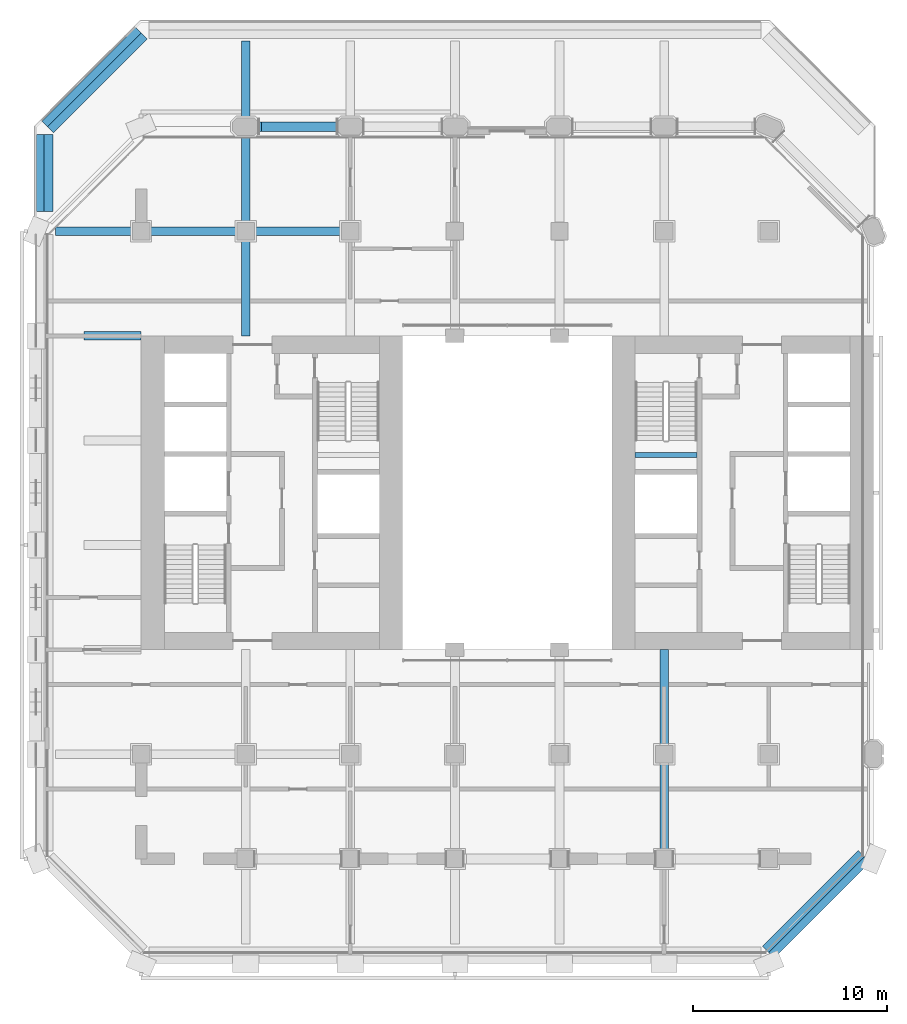
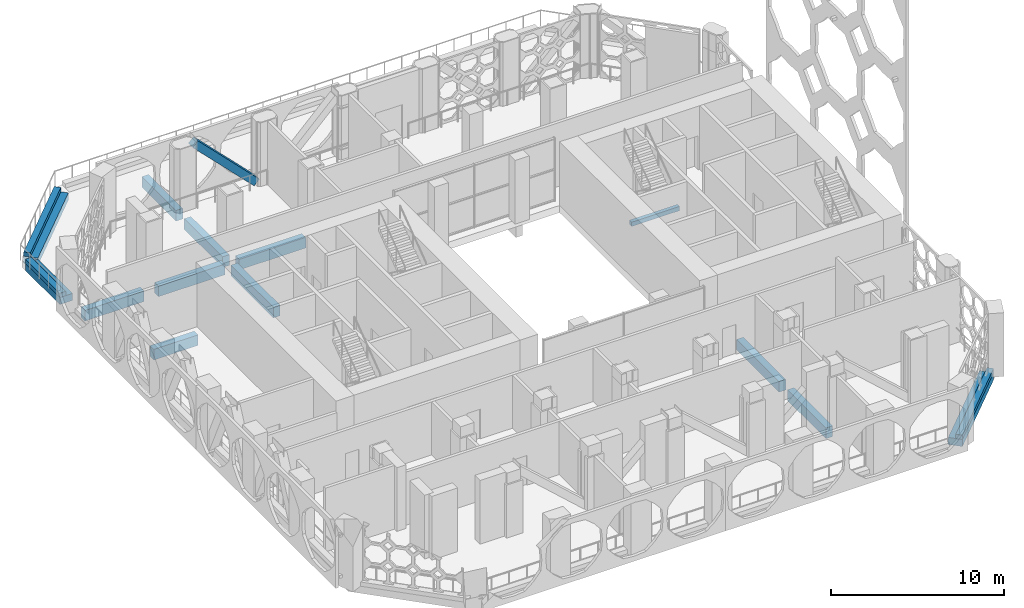
# One storey, part 3 of 17: 16 beams, 1 member.
"""IFC4 building model written with IfcOpenShell, lengths in metres."""

from ifc_helpers import new_model, si_unit, direction, frame, origin, origin_2d, place, context, subcontext, project, spatial, rectangle, extrude, material, material_profile, profile_set, type_object, element, save


model = new_model("IFC4")

# Units and contexts
model_context = context("Model", 3, precision=1e-05, world=origin(), true_north=direction((0.0, 1.0)))
body_context = subcontext(model_context, "Body", "Model", "MODEL_VIEW")
ifc_project = project(units=[si_unit("LENGTHUNIT", "METRE"), si_unit("AREAUNIT", "SQUARE_METRE"), si_unit("VOLUMEUNIT", "CUBIC_METRE"), si_unit("PLANEANGLEUNIT", "RADIAN"), si_unit("MASSUNIT", "GRAM", prefix="KILO")], contexts=[model_context])

# Site, building, storey
site_placement = place(None, origin())
site = spatial("IfcSite", under=ifc_project, at=site_placement, CompositionType="ELEMENT")
building_placement = place(site_placement, origin())
building = spatial("IfcBuilding", under=site, at=building_placement, Name="Tabaq Tower and Sports Hall", CompositionType="ELEMENT")
storey_placement = place(building_placement, frame((0.0, 0.0, 125.800048828125)))
storey = spatial("IfcBuildingStorey", under=building, at=storey_placement, Name="L30", CompositionType="ELEMENT", Elevation=125.800048828125)

# Beams
ifc_material_1 = material(Name="Concrete C40/50", Category="concrete")
ifc_material_profile_1 = material_profile(ifc_material_1, rectangle(XDim=0.449951171875, YDim=0.75, at=origin_2d()), Name="CB 450x750")
ifc_profile_set_1 = profile_set([ifc_material_profile_1], Name="Concrete C40/50")
beam_type_1 = type_object("IfcBeamType", Name="PT CANTILEVER BEAM CB 450x750 C40/50", PredefinedType="BEAM", material=ifc_profile_set_1)
beam_1_placement = place(storey_placement, frame((2.449951171875, 32.39990234375, -0.875), z_axis=(1.0, 0.0, 0.0), x_axis=(0.0, 1.0, 0.0)))
element("IfcBeam", 1, at=beam_1_placement, inside=storey, type_object=beam_type_1, Name="Cantilever Beam L30 W6 span 1", PredefinedType="BEAM", context=body_context, shape_type="SweptSolid", body=[
    extrude(rectangle(XDim=0.449951171875, YDim=0.75, at=origin_2d()), origin(), (0.0, 0.0, 1.0), 2.949951171875),
])
beam_2_placement = place(storey_placement, frame((0.97509765625, 37.800048828125, -0.875), z_axis=(1.0, 0.0, 0.0), x_axis=(0.0, 1.0, 0.0)))
element("IfcBeam", 2, at=beam_2_placement, inside=storey, type_object=beam_type_1, Name="Cantilever Beam L30 W7 span 1", PredefinedType="BEAM", context=body_context, shape_type="SweptSolid", body=[
    extrude(rectangle(XDim=0.449951171875, YDim=0.75, at=origin_2d()), origin(), (0.0, 0.0, 1.0), 3.949951171875),
])
beam_3_placement = place(storey_placement, frame((5.875, 37.800048828125, -0.875), z_axis=(1.0, 0.0, 0.0), x_axis=(0.0, 1.0, 0.0)))
element("IfcBeam", 3, at=beam_3_placement, inside=storey, type_object=beam_type_1, Name="Cantilever Beam L30 W7 span 2", PredefinedType="BEAM", context=body_context, shape_type="SweptSolid", body=[
    extrude(rectangle(XDim=0.449951171875, YDim=0.75, at=origin_2d()), origin(), (0.0, 0.0, 1.0), 4.449951171875),
])
beam_4_placement = place(storey_placement, frame((11.27490234375, 37.800048828125, -0.875), z_axis=(1.0, 0.0, 0.0), x_axis=(0.0, 1.0, 0.0)))
element("IfcBeam", 4, at=beam_4_placement, inside=storey, type_object=beam_type_1, Name="Cantilever Beam L30 W7 span 3", PredefinedType="BEAM", context=body_context, shape_type="SweptSolid", body=[
    extrude(rectangle(XDim=0.449951171875, YDim=0.75, at=origin_2d()), origin(), (0.0, 0.0, 1.0), 4.4501953125),
])
beam_5_placement = place(storey_placement, frame((32.39990234375, 5.85009765625, -0.875), z_axis=(0.0, 1.0, 0.0), x_axis=(-1.0, 0.0, 0.0)))
element("IfcBeam", 5, at=beam_5_placement, inside=storey, type_object=beam_type_1, Name="Cantilever Beam L30 S6 span 2", PredefinedType="BEAM", context=body_context, shape_type="SweptSolid", body=[
    extrude(rectangle(XDim=0.449951171875, YDim=0.75, at=origin_2d()), origin(), (0.0, 0.0, 1.0), 4.474853515625),
])
beam_6_placement = place(storey_placement, frame((32.39990234375, 11.27490234375, -0.875), z_axis=(0.0, 1.0, 0.0), x_axis=(-1.0, 0.0, 0.0)))
element("IfcBeam", 6, at=beam_6_placement, inside=storey, type_object=beam_type_1, Name="Cantilever Beam L30 S6 span 3", PredefinedType="BEAM", context=body_context, shape_type="SweptSolid", body=[
    extrude(rectangle(XDim=0.449951171875, YDim=0.75, at=origin_2d()), origin(), (0.0, 0.0, 1.0), 4.925048828125),
])
beam_7_placement = place(storey_placement, frame((10.800048828125, 47.625, -0.875), z_axis=(0.0, -1.0, 0.0), x_axis=(1.0, 0.0, 0.0)))
element("IfcBeam", 7, at=beam_7_placement, inside=storey, type_object=beam_type_1, Name="Cantilever Beam L30 N2 span 1", PredefinedType="BEAM", context=body_context, shape_type="SweptSolid", body=[
    extrude(rectangle(XDim=0.449951171875, YDim=0.75, at=origin_2d()), origin(), (0.0, 0.0, 1.0), 3.949951171875),
])
beam_8_placement = place(storey_placement, frame((10.800048828125, 42.72509765625, -0.875), z_axis=(0.0, -1.0, 0.0), x_axis=(1.0, 0.0, 0.0)))
element("IfcBeam", 8, at=beam_8_placement, inside=storey, type_object=beam_type_1, Name="Cantilever Beam L30 N2 span 2", PredefinedType="BEAM", context=body_context, shape_type="SweptSolid", body=[
    extrude(rectangle(XDim=0.449951171875, YDim=0.75, at=origin_2d()), origin(), (0.0, 0.0, 1.0), 4.4501953125),
])
beam_9_placement = place(storey_placement, frame((10.800048828125, 37.324951171875, -0.875), z_axis=(0.0, -1.0, 0.0), x_axis=(1.0, 0.0, 0.0)))
element("IfcBeam", 9, at=beam_9_placement, inside=storey, type_object=beam_type_1, Name="Cantilever Beam L30 N2 span 3", PredefinedType="BEAM", context=body_context, shape_type="SweptSolid", body=[
    extrude(rectangle(XDim=0.449951171875, YDim=0.75, at=origin_2d()), origin(), (0.0, 0.0, 1.0), 4.925048828125),
])
ifc_material_2 = material(Name="Concrete C40/50", Category="concrete")
ifc_material_profile_2 = material_profile(ifc_material_2, rectangle(XDim=0.85009765625, YDim=0.5, at=origin_2d()), Name="EB 850x500")
ifc_profile_set_2 = profile_set([ifc_material_profile_2], Name="Concrete C40/50")
beam_type_2 = type_object("IfcBeamType", Name="PT EDGE BEAM EB 850x500 C40/50", PredefinedType="SPANDREL", material=ifc_profile_set_2)
beam_10_placement = place(storey_placement, frame((37.78369140625, 0.584716796875, -0.25), z_axis=(0.707106781187, 0.707106781187, 0.0), x_axis=(-0.707106781187, 0.707106781187, 0.0)))
element("IfcBeam", 10, at=beam_10_placement, inside=storey, type_object=beam_type_2, Name="Edge Beam L30 4", PredefinedType="SPANDREL", context=body_context, shape_type="SweptSolid", body=[
    extrude(rectangle(XDim=0.85009765625, YDim=0.5, at=origin_2d()), origin(), (0.0, 0.0, 1.0), 6.98486328125),
])
beam_11_placement = place(storey_placement, frame((5.416259765625, 48.01513671875, -0.25), z_axis=(-0.707124646667, -0.707088915255, 0.0), x_axis=(0.707088915255, -0.707124646667, 0.0)))
element("IfcBeam", 11, at=beam_11_placement, inside=storey, type_object=beam_type_2, Name="Edge Beam L30 7", PredefinedType="SPANDREL", context=body_context, shape_type="SweptSolid", body=[
    extrude(rectangle(XDim=0.85009765625, YDim=0.5, at=origin_2d()), origin(), (0.0, 0.0, 1.0), 6.832763671875),
])
beam_12_placement = place(storey_placement, frame((0.425048828125, 42.7978515625, -0.25), z_axis=(0.0, -1.0, 0.0), x_axis=(1.0, 0.0, 0.0)))
element("IfcBeam", 12, at=beam_12_placement, inside=storey, type_object=beam_type_2, Name="Edge Beam L30 8", PredefinedType="SPANDREL", context=body_context, shape_type="SweptSolid", body=[
    extrude(rectangle(XDim=0.85009765625, YDim=0.5, at=origin_2d()), origin(), (0.0, 0.0, 1.0), 3.98583984375),
])
ifc_material_3 = material(Name="Concrete C40/50", Category="concrete")
ifc_material_profile_3 = material_profile(ifc_material_3, rectangle(XDim=0.39990234375, YDim=0.300048828125, at=origin_2d()), Name="EU 400x300")
ifc_profile_set_3 = profile_set([ifc_material_profile_3], Name="Concrete C40/50")
beam_type_3 = type_object("IfcBeamType", Name="PT EDGE UPSTAND EU 400x300 C40/50", PredefinedType="BEAM", material=ifc_profile_set_3)
beam_13_placement = place(storey_placement, frame((37.94287109375, 0.42578125, 0.14990234375), z_axis=(0.707106781187, 0.707106781187, 0.0), x_axis=(-0.707106781187, 0.707106781187, 0.0)))
element("IfcBeam", 13, at=beam_13_placement, inside=storey, type_object=beam_type_3, Name="Edge Upstand L30 4", PredefinedType="BEAM", context=body_context, shape_type="SweptSolid", body=[
    extrude(rectangle(XDim=0.39990234375, YDim=0.300048828125, at=origin_2d()), origin(), (0.0, 0.0, 1.0), 6.98486328125),
])
beam_14_placement = place(storey_placement, frame((5.257080078125, 48.17431640625, 0.14990234375), z_axis=(-0.707088915255, -0.707124646667, 0.0), x_axis=(0.707124646667, -0.707088915255, 0.0)))
element("IfcBeam", 14, at=beam_14_placement, inside=storey, type_object=beam_type_3, Name="Edge Upstand L30 7", PredefinedType="BEAM", context=body_context, shape_type="SweptSolid", body=[
    extrude(rectangle(XDim=0.39990234375, YDim=0.300048828125, at=origin_2d()), origin(), (0.0, 0.0, 1.0), 6.832763671875),
])
beam_15_placement = place(storey_placement, frame((0.199951171875, 42.7978515625, 0.14990234375), z_axis=(0.0, -1.0, 0.0), x_axis=(1.0, 0.0, 0.0)))
element("IfcBeam", 15, at=beam_15_placement, inside=storey, type_object=beam_type_3, Name="Edge Upstand L30 8", PredefinedType="BEAM", context=body_context, shape_type="SweptSolid", body=[
    extrude(rectangle(XDim=0.39990234375, YDim=0.300048828125, at=origin_2d()), origin(), (0.0, 0.0, 1.0), 3.98583984375),
])

# Member
ifc_material_4 = material(Name="Concrete C50/60", Category="concrete")
ifc_material_profile_4 = material_profile(ifc_material_4, rectangle(XDim=0.5, YDim=0.5, at=origin_2d()), Name="BELT STRUT 500x500")
ifc_profile_set_4 = profile_set([ifc_material_profile_4], Name="Concrete C50/60")
member_type = type_object("IfcMemberType", Name="RC BELT TRUSS STRUT BELT STRUT 500x500 C50/60", PredefinedType="BRACE", material=ifc_profile_set_4)
member_placement = place(storey_placement, frame((15.554931640625, 43.199951171875, 0.176025390625), z_axis=(-0.703838041285, 0.0, 0.710360480066), x_axis=(0.0, -1.0, 0.0)))
element("IfcMember", 16, at=member_placement, inside=storey, type_object=member_type, Name="Belt Truss Strut L30 5", PredefinedType="BRACE", context=body_context, shape_type="SweptSolid", body=[
    extrude(rectangle(XDim=0.5, YDim=0.5, at=origin_2d()), origin(), (0.0, 0.0, 1.0), 5.839111328125),
])

# Beam
ifc_material_5 = material(Name="Concrete C40/50", Category="concrete")
ifc_material_profile_5 = material_profile(ifc_material_5, rectangle(XDim=0.25, YDim=0.300048828125, at=origin_2d()), Name="RC 250x300")
ifc_profile_set_5 = profile_set([ifc_material_profile_5], Name="Concrete C40/50")
beam_type_4 = type_object("IfcBeamType", Name="Stair landing beam 250x300", PredefinedType="BEAM", material=ifc_profile_set_5)
beam_16_placement = place(storey_placement, frame((30.89990234375, 26.25, 2.050048828125), z_axis=(1.0, 0.0, 0.0), x_axis=(0.0, 1.0, 0.0)))
element("IfcBeam", 17, at=beam_16_placement, inside=storey, type_object=beam_type_4, Name="L30 ST4 landing beam 1", PredefinedType="BEAM", context=body_context, shape_type="SweptSolid", body=[
    extrude(rectangle(XDim=0.25, YDim=0.300048828125, at=origin_2d()), origin(), (0.0, 0.0, 1.0), 3.2001953125),
])

save(model, "model.ifc")
